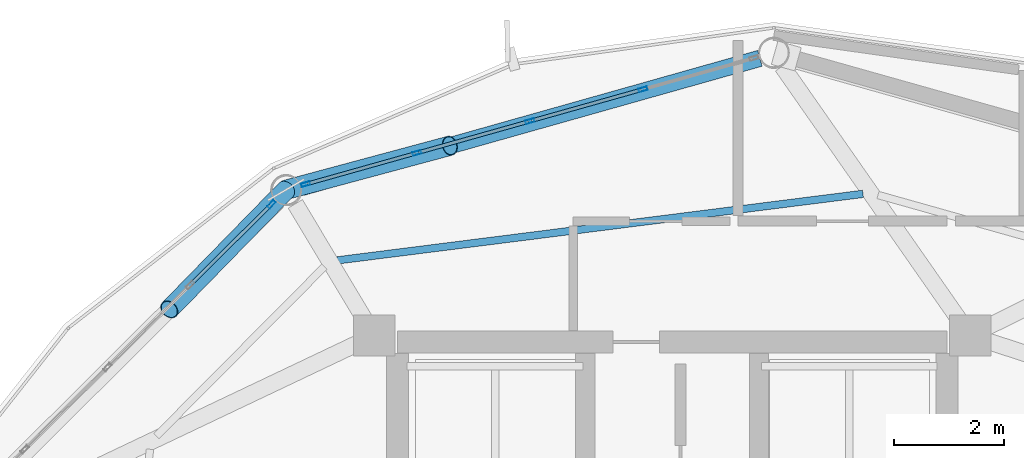
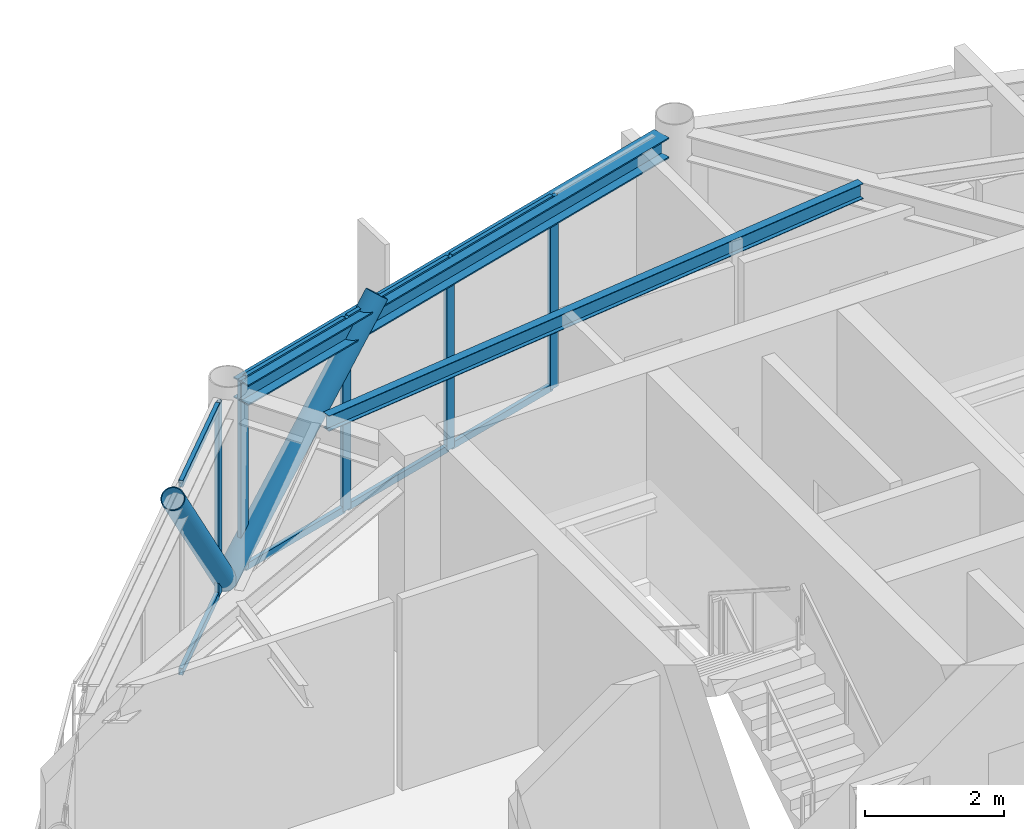
# One storey, part 16 of 24: 15 members, 2 beams, 2 elements without a shape of their own.
"""IFC4 building model written with IfcOpenShell, lengths in metres."""

from ifc_helpers import new_model, si_unit, direction, frame, origin, origin_2d, place, context, subcontext, project, spatial, hollow_rectangle, hollow_circle, i_section, extrude, material, layer, layer_set, material_profile, profile_set, type_object, element, aggregate, save


model = new_model("IFC4")

# Units and contexts
model_context = context("Model", 3, precision=1e-05, world=origin(), true_north=direction((0.0, 1.0)))
body_context = subcontext(model_context, "Body", "Model", "MODEL_VIEW")
ifc_project = project(units=[si_unit("LENGTHUNIT", "METRE"), si_unit("AREAUNIT", "SQUARE_METRE"), si_unit("VOLUMEUNIT", "CUBIC_METRE"), si_unit("PLANEANGLEUNIT", "RADIAN"), si_unit("MASSUNIT", "GRAM", prefix="KILO")], contexts=[model_context])

# Site, building, storey
site_placement = place(None, origin())
site = spatial("IfcSite", under=ifc_project, at=site_placement, CompositionType="ELEMENT")
building_placement = place(site_placement, origin())
building = spatial("IfcBuilding", under=site, at=building_placement, Name="Varnakorn Sky Granary", CompositionType="ELEMENT")
storey_placement = place(building_placement, frame((0.0, 0.0, 281.39990234375)))
storey = spatial("IfcBuildingStorey", under=building, at=storey_placement, Name="L72", CompositionType="ELEMENT", Elevation=281.39990234375)

# Beams
ifc_material_1 = material(Name="Steel S355JR", Category="steel")
ifc_material_profile_1 = material_profile(ifc_material_1, i_section(OverallWidth=0.135009765625, OverallDepth=0.27001953125, WebThickness=0.006591796875, FlangeThickness=0.01025390625, at=origin_2d()), Name="IPE 270")
ifc_profile_set_1 = profile_set([ifc_material_profile_1], Name="Steel S355JR")
beam_type_1 = type_object("IfcBeamType", Name="BM-SEC-Z5", PredefinedType="BEAM", material=ifc_profile_set_1)
beam_1_placement = place(storey_placement, frame((6.47021484375, 15.196533203125, 3.22509765625), z_axis=(-0.992092419916, -0.125509483089, 0.0), x_axis=(0.125509483089, -0.992092419916, 0.0)))
element("IfcBeam", 1, at=beam_1_placement, inside=storey, type_object=beam_type_1, Name="Secondary Floor Chord Beam MSB04 L72", PredefinedType="BEAM", context=body_context, shape_type="SweptSolid", body=[
    extrude(i_section(OverallWidth=0.135009765625, OverallDepth=0.27001953125, WebThickness=0.006591796875, FlangeThickness=0.01025390625, at=origin_2d()), origin(), (0.0, 0.0, 1.0), 9.636474609375),
])
ifc_material_profile_2 = material_profile(ifc_material_1, i_section(OverallWidth=0.300048828125, OverallDepth=0.360107421875, WebThickness=0.012451171875, FlangeThickness=0.0224609375, at=origin_2d()), Name="HE 360 B")
ifc_profile_set_2 = profile_set([ifc_material_profile_2], Name="Steel S355JR")
beam_type_2 = type_object("IfcBeamType", Name="BM-SPD-Z5", PredefinedType="SPANDREL", material=ifc_profile_set_2)
beam_2_placement = place(storey_placement, frame((4.595458984375, 17.662109375, 3.18017578125), z_axis=(-0.96248008675, -0.271352321917, 0.0), x_axis=(0.271352321917, -0.96248008675, 0.0)))
element("IfcBeam", 2, at=beam_2_placement, inside=storey, type_object=beam_type_2, Name="Perimeter Spandrel Ring Beam RB04 L72", PredefinedType="SPANDREL", context=body_context, shape_type="SweptSolid", body=[
    extrude(i_section(OverallWidth=0.300048828125, OverallDepth=0.360107421875, WebThickness=0.012451171875, FlangeThickness=0.0224609375, at=origin_2d()), origin(), (0.0, 0.0, 1.0), 8.656982421875),
])

# Curtain wall, members
ifc_material_2 = material(Name="Anodised Bronze Aluminium Alloy 6063-T6", Category="aluminium")
ifc_layer = layer(ifc_material_2, 0.159912109375, Name="Anodised Bronze Aluminium Alloy 6063-T6")
ifc_layer_set = layer_set([ifc_layer], Name="Anodised Bronze Aluminium Alloy 6063-T6")
curtain_wall_type = type_object("IfcCurtainWallType", Name="CW-OFF-1", PredefinedType="USERDEFINED", material=ifc_layer_set)
curtain_wall_1_placement = place(storey_placement, origin())
curtain_wall_1 = element("IfcCurtainWall", 3, at=curtain_wall_1_placement, inside=storey, type_object=curtain_wall_type, Name="Unitised Curtain Wall CW6 CW-L72-B04", ObjectType="CURTAIN WALL", PredefinedType="USERDEFINED")
ifc_material_profile_3 = material_profile(ifc_material_2, hollow_rectangle(XDim=0.06494140625, YDim=0.159912109375, WallThickness=0.00341796875, at=origin_2d()), Name="ALU MULL 65x160")
ifc_profile_set_3 = profile_set([ifc_material_profile_3], Name="Anodised Bronze Aluminium Alloy 6063-T6")
member_type_1 = type_object("IfcMemberType", Name="CW-OFF-1-MULL", PredefinedType="MULLION", material=ifc_profile_set_3)
member_1_placement = place(storey_placement, frame((-3.6669921875, 15.371337890625, 0.0), z_axis=(0.0, 0.0, 1.0), x_axis=(-0.270868319703, 0.962616410301, 0.0)))
member_1 = element("IfcMember", 4, at=member_1_placement, type_object=member_type_1, Name="CW6 mullion 1", PredefinedType="MULLION", context=body_context, shape_type="SweptSolid", body=[
    extrude(hollow_rectangle(XDim=0.06494140625, YDim=0.159912109375, WallThickness=0.00341796875, at=origin_2d()), origin(), (0.0, 0.0, 1.0), 3.360107421875),
])
member_2_placement = place(storey_placement, frame((-1.642822265625, 15.94091796875, 0.0), z_axis=(0.0, 0.0, 1.0), x_axis=(-0.270868319703, 0.962616410301, 0.0)))
member_2 = element("IfcMember", 5, at=member_2_placement, type_object=member_type_1, Name="CW6 mullion 2", PredefinedType="MULLION", context=body_context, shape_type="SweptSolid", body=[
    extrude(hollow_rectangle(XDim=0.06494140625, YDim=0.159912109375, WallThickness=0.00341796875, at=origin_2d()), origin(), (0.0, 0.0, 1.0), 3.360107421875),
])
member_3_placement = place(storey_placement, frame((0.41259765625, 16.519287109375, 0.0), z_axis=(0.0, 0.0, 1.0), x_axis=(-0.270868319703, 0.962616410301, 0.0)))
member_3 = element("IfcMember", 6, at=member_3_placement, type_object=member_type_1, Name="CW6 mullion 3", PredefinedType="MULLION", context=body_context, shape_type="SweptSolid", body=[
    extrude(hollow_rectangle(XDim=0.06494140625, YDim=0.159912109375, WallThickness=0.00341796875, at=origin_2d()), origin(), (0.0, 0.0, 1.0), 3.360107421875),
])
member_4_placement = place(storey_placement, frame((2.4677734375, 17.09765625, 0.0), z_axis=(0.0, 0.0, 1.0), x_axis=(-0.270868319703, 0.962616410301, 0.0)))
member_4 = element("IfcMember", 7, at=member_4_placement, type_object=member_type_1, Name="CW6 mullion 4", PredefinedType="MULLION", context=body_context, shape_type="SweptSolid", body=[
    extrude(hollow_rectangle(XDim=0.06494140625, YDim=0.159912109375, WallThickness=0.00341796875, at=origin_2d()), origin(), (0.0, 0.0, 1.0), 3.360107421875),
])

# Curtain wall, member
curtain_wall_2_placement = place(storey_placement, origin())
curtain_wall_2 = element("IfcCurtainWall", 8, at=curtain_wall_2_placement, inside=storey, type_object=curtain_wall_type, Name="Unitised Curtain Wall CW6 CW-L72-B05", ObjectType="CURTAIN WALL", PredefinedType="USERDEFINED")
member_5_placement = place(storey_placement, frame((-4.2890625, 15.00830078125, 0.0), z_axis=(0.0, 0.0, 1.0), x_axis=(-0.704761759046, 0.709444052048, 0.0)))
member_5 = element("IfcMember", 9, at=member_5_placement, type_object=member_type_1, Name="CW6 mullion 5", PredefinedType="MULLION", context=body_context, shape_type="SweptSolid", body=[
    extrude(hollow_rectangle(XDim=0.06494140625, YDim=0.159912109375, WallThickness=0.00341796875, at=origin_2d()), origin(), (0.0, 0.0, 1.0), 3.360107421875),
])

# Member
ifc_material_profile_4 = material_profile(ifc_material_2, hollow_rectangle(XDim=0.06494140625, YDim=0.1201171875, WallThickness=0.00341796875, at=origin_2d()), Name="ALU TRAN 65x120")
ifc_profile_set_4 = profile_set([ifc_material_profile_4], Name="Anodised Bronze Aluminium Alloy 6063-T6")
member_type_2 = type_object("IfcMemberType", Name="CW-OFF-1-TRAN", PredefinedType="USERDEFINED", material=ifc_profile_set_4)
member_6_placement = place(storey_placement, frame((-3.6357421875, 15.380126953125, 0.03271484375), z_axis=(0.962614828152, 0.270873942309, 0.0), x_axis=(-0.270873942309, 0.962614828152, 0.0)))
member_6 = element("IfcMember", 10, at=member_6_placement, type_object=member_type_2, Name="CW6 transom 1.1", ObjectType="TRANSOM", PredefinedType="USERDEFINED", context=body_context, shape_type="SweptSolid", body=[
    extrude(hollow_rectangle(XDim=0.06494140625, YDim=0.1201171875, WallThickness=0.00341796875, at=origin_2d()), origin(), (0.0, 0.0, 1.0), 2.037841796875),
])

member_7_placement = place(storey_placement, frame((-3.6357421875, 15.380126953125, 3.32763671875), z_axis=(0.962614828152, 0.270873942309, 0.0), x_axis=(-0.270873942309, 0.962614828152, 0.0)))
member_7 = element("IfcMember", 11, at=member_7_placement, type_object=member_type_2, Name="CW6 transom 1.2", ObjectType="TRANSOM", PredefinedType="USERDEFINED", context=body_context, shape_type="SweptSolid", body=[
    extrude(hollow_rectangle(XDim=0.06494140625, YDim=0.1201171875, WallThickness=0.00341796875, at=origin_2d()), origin(), (0.0, 0.0, 1.0), 2.037841796875),
])

member_8_placement = place(storey_placement, frame((-1.611572265625, 15.94970703125, 0.03271484375), z_axis=(0.962606740755, 0.270902681146, 0.0), x_axis=(-0.270902681146, 0.962606740755, 0.0)))
member_8 = element("IfcMember", 12, at=member_8_placement, type_object=member_type_2, Name="CW6 transom 2.1", ObjectType="TRANSOM", PredefinedType="USERDEFINED", context=body_context, shape_type="SweptSolid", body=[
    extrude(hollow_rectangle(XDim=0.06494140625, YDim=0.1201171875, WallThickness=0.00341796875, at=origin_2d()), origin(), (0.0, 0.0, 1.0), 2.070068359375),
])

member_9_placement = place(storey_placement, frame((-1.611572265625, 15.94970703125, 3.32763671875), z_axis=(0.962606740755, 0.270902681146, 0.0), x_axis=(-0.270902681146, 0.962606740755, 0.0)))
member_9 = element("IfcMember", 13, at=member_9_placement, type_object=member_type_2, Name="CW6 transom 2.2", ObjectType="TRANSOM", PredefinedType="USERDEFINED", context=body_context, shape_type="SweptSolid", body=[
    extrude(hollow_rectangle(XDim=0.06494140625, YDim=0.1201171875, WallThickness=0.00341796875, at=origin_2d()), origin(), (0.0, 0.0, 1.0), 2.070068359375),
])

member_10_placement = place(storey_placement, frame((0.44384765625, 16.528076171875, 0.03271484375), z_axis=(0.962606740755, 0.270902681146, 0.0), x_axis=(-0.270902681146, 0.962606740755, 0.0)))
member_10 = element("IfcMember", 14, at=member_10_placement, type_object=member_type_2, Name="CW6 transom 3.1", ObjectType="TRANSOM", PredefinedType="USERDEFINED", context=body_context, shape_type="SweptSolid", body=[
    extrude(hollow_rectangle(XDim=0.06494140625, YDim=0.1201171875, WallThickness=0.00341796875, at=origin_2d()), origin(), (0.0, 0.0, 1.0), 2.070068359375),
])

member_11_placement = place(storey_placement, frame((0.44384765625, 16.528076171875, 3.32763671875), z_axis=(0.962606740755, 0.270902681146, 0.0), x_axis=(-0.270902681146, 0.962606740755, 0.0)))
member_11 = element("IfcMember", 15, at=member_11_placement, type_object=member_type_2, Name="CW6 transom 3.2", ObjectType="TRANSOM", PredefinedType="USERDEFINED", context=body_context, shape_type="SweptSolid", body=[
    extrude(hollow_rectangle(XDim=0.06494140625, YDim=0.1201171875, WallThickness=0.00341796875, at=origin_2d()), origin(), (0.0, 0.0, 1.0), 2.070068359375),
])

aggregate(curtain_wall_1, [member_1, member_2, member_3, member_4, member_6, member_7, member_8, member_9, member_10, member_11])

member_12_placement = place(storey_placement, frame((-5.74658203125, 13.560302734375, 0.03271484375), z_axis=(0.709396889916, 0.704809231336, 0.0), x_axis=(-0.704809231336, 0.709396889916, 0.0)))
member_12 = element("IfcMember", 16, at=member_12_placement, type_object=member_type_2, Name="CW6 transom 4.1", ObjectType="TRANSOM", PredefinedType="USERDEFINED", context=body_context, shape_type="SweptSolid", body=[
    extrude(hollow_rectangle(XDim=0.06494140625, YDim=0.1201171875, WallThickness=0.00341796875, at=origin_2d()), origin(), (0.0, 0.0, 1.0), 2.022216796875),
])

member_13_placement = place(storey_placement, frame((-5.74658203125, 13.560302734375, 3.32763671875), z_axis=(0.709396889916, 0.704809231336, 0.0), x_axis=(-0.704809231336, 0.709396889916, 0.0)))
member_13 = element("IfcMember", 17, at=member_13_placement, type_object=member_type_2, Name="CW6 transom 4.2", ObjectType="TRANSOM", PredefinedType="USERDEFINED", context=body_context, shape_type="SweptSolid", body=[
    extrude(hollow_rectangle(XDim=0.06494140625, YDim=0.1201171875, WallThickness=0.00341796875, at=origin_2d()), origin(), (0.0, 0.0, 1.0), 2.022216796875),
])

aggregate(curtain_wall_2, [member_5, member_12, member_13])

# Members
ifc_material_3 = material(Name="Steel S460M", Category="steel")
ifc_material_profile_5 = material_profile(ifc_material_3, hollow_circle(Radius=0.177734375, WallThickness=0.01416015625, at=origin_2d()), Name="CHS 355.6x14")
ifc_profile_set_5 = profile_set([ifc_material_profile_5], Name="Steel S460M")
member_type_3 = type_object("IfcMemberType", Name="MB-DIAG-T5", PredefinedType="BRACE", material=ifc_profile_set_5)
member_14_placement = place(storey_placement, frame((-4.02490234375, 15.2705078125, 0.0), z_axis=(0.639763102174, 0.172032292935, 0.749071467408), x_axis=(-0.25967561977, 0.965695900632, 0.0)))
element("IfcMember", 18, at=member_14_placement, inside=storey, type_object=member_type_3, Name="Perimeter CHS Diagrid Brace DG04 L72", PredefinedType="BRACE", context=body_context, shape_type="SweptSolid", body=[
    extrude(hollow_circle(Radius=0.177734375, WallThickness=0.01416015625, at=origin_2d()), origin(), (0.0, 0.0, 1.0), 4.6591796875),
])
member_15_placement = place(storey_placement, frame((-4.02490234375, 15.2705078125, 0.0), z_axis=(-0.458839922845, -0.470179070364, 0.753921459434), x_axis=(0.715684070406, -0.698424162932, 0.0)))
element("IfcMember", 19, at=member_15_placement, inside=storey, type_object=member_type_3, Name="Perimeter CHS Diagrid Brace DG05 L72", PredefinedType="BRACE", context=body_context, shape_type="SweptSolid", body=[
    extrude(hollow_circle(Radius=0.177734375, WallThickness=0.01416015625, at=origin_2d()), origin(), (0.0, 0.0, 1.0), 4.629150390625),
])

save(model, "model.ifc")
